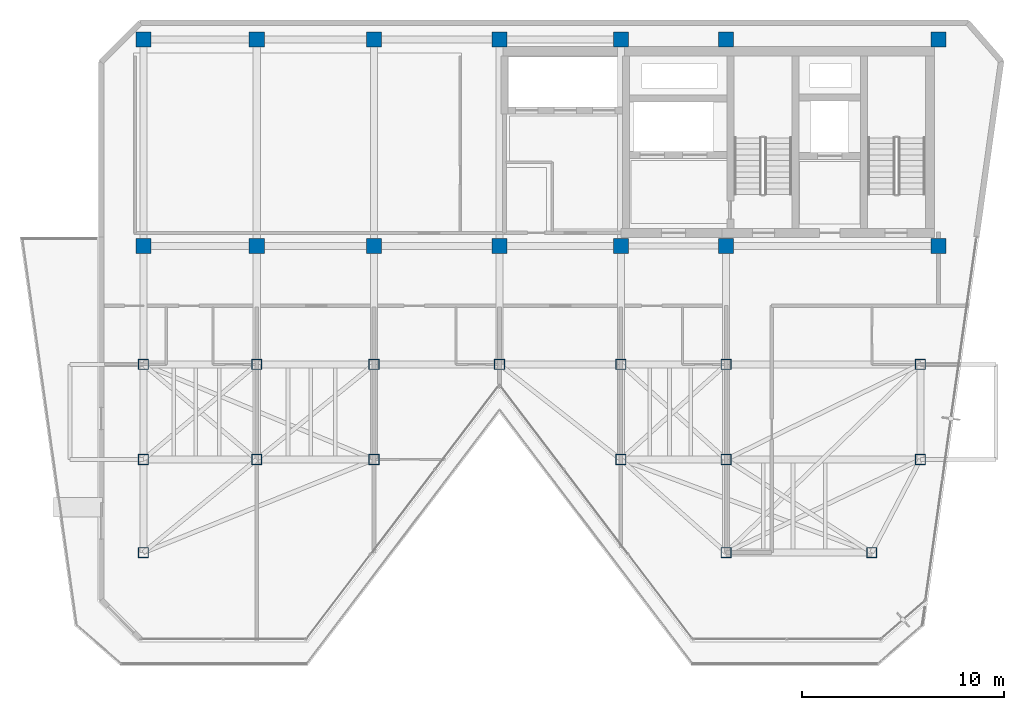
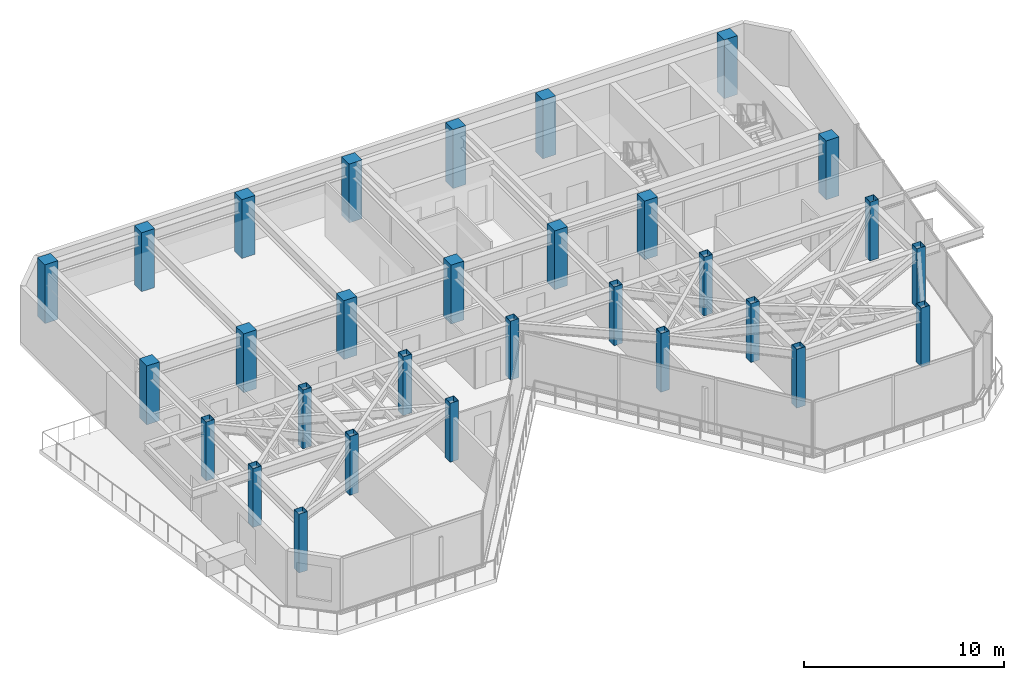
# One storey, part 1 of 20: 30 columns.
"""IFC4 building model written with IfcOpenShell, lengths in metres."""

from ifc_helpers import new_model, si_unit, direction, frame, origin, origin_2d, place, context, subcontext, project, spatial, rectangle, hollow_rectangle, extrude, material, material_profile, profile_set, type_object, element, save


model = new_model("IFC4")

# Units and contexts
model_context = context("Model", 3, precision=1e-05, world=origin(), true_north=direction((0.0, 1.0)))
body_context = subcontext(model_context, "Body", "Model", "MODEL_VIEW")
ifc_project = project(units=[si_unit("LENGTHUNIT", "METRE"), si_unit("AREAUNIT", "SQUARE_METRE"), si_unit("VOLUMEUNIT", "CUBIC_METRE"), si_unit("PLANEANGLEUNIT", "RADIAN"), si_unit("MASSUNIT", "GRAM", prefix="KILO")], contexts=[model_context])

# Site, building, storey
site_placement = place(None, origin())
site = spatial("IfcSite", under=ifc_project, at=site_placement, CompositionType="ELEMENT")
building_placement = place(site_placement, origin())
building = spatial("IfcBuilding", under=site, at=building_placement, Name="Kravanh Interchange Tower", CompositionType="ELEMENT")
storey_placement = place(building_placement, frame((0.0, 0.0, 245.39990234375)))
storey = spatial("IfcBuildingStorey", under=building, at=storey_placement, Name="L59", CompositionType="ELEMENT", Elevation=245.39990234375)

# Columns
ifc_material_1 = material(Name="Structural Steel S355", Category="steel")
ifc_material_profile_1 = material_profile(ifc_material_1, hollow_rectangle(XDim=0.5, YDim=0.5, WallThickness=0.02001953125, at=origin_2d()), Name="HSS500X500X20")
ifc_profile_set_1 = profile_set([ifc_material_profile_1], Name="Structural Steel S355")
column_type_1 = type_object("IfcColumnType", Name="Column HSS500X500X20 Structural Steel S355", PredefinedType="COLUMN", material=ifc_profile_set_1)
for number, where, z_axis, x_axis, name in (
    (1, (44.800048828125, 31.5, 0.0), (0.0, 0.0, 1.0), (1.0, 0.0, 0.0), "L59 Column CH_E1"),
    (2, (50.800048828125, 31.5, 0.0), (0.0, 0.0, 1.0), (1.0, 0.0, 0.0), "L59 Column CH_E2"),
    (3, (56.0, 31.5, 0.0), (0.0, 0.0, 1.0), (1.0, 0.0, 0.0), "L59 Column CH_E3"),
    (4, (65.60009765625, 31.5, 0.0), (0.0, 0.0, 1.0), (1.0, 0.0, 0.0), "L59 Column CH_E4"),
    (5, (38.60009765625, 31.5, 0.0), (0.0, 0.0, 1.0), (1.0, 0.0, 0.0), "L59 Column CH_E5"),
    (6, (32.800048828125, 31.5, 0.0), (0.0, 0.0, 1.0), (1.0, 0.0, 0.0), "L59 Column CH_E6"),
    (7, (27.199951171875, 31.5, 0.0), (0.0, 0.0, 1.0), (1.0, 0.0, 0.0), "L59 Column CH_E7"),
    (8, (38.60009765625, 26.800048828125, 0.0), (0.0, 0.0, 1.0), (1.0, 0.0, 0.0), "L59 Column CH_S1"),
    (9, (50.800048828125, 26.800048828125, 0.0), (0.0, 0.0, 1.0), (1.0, 0.0, 0.0), "L59 Column CH_S2"),
    (10, (56.0, 26.800048828125, 0.0), (0.0, 0.0, 1.0), (1.0, 0.0, 0.0), "L59 Column CH_S3"),
    (11, (65.60009765625, 26.800048828125, 0.0), (0.0, 0.0, 1.0), (1.0, 0.0, 0.0), "L59 Column CH_S4"),
    (12, (56.0, 22.199951171875, 0.0), (0.0, 0.0, 1.0), (1.0, 0.0, 0.0), "L59 Column CH_S5"),
    (13, (63.199951171875, 22.199951171875, 0.0), (0.0, 0.0, 1.0), (1.0, 0.0, 0.0), "L59 Column CH_S6"),
    (14, (27.199951171875, 22.199951171875, 0.0), (0.0, 0.0, 1.0), (1.0, 0.0, 0.0), "L59 Column CH_W1"),
    (15, (27.199951171875, 26.800048828125, 0.0), (0.0, 0.0, 1.0), (1.0, 0.0, 0.0), "L59 Column CH_W1B"),
    (16, (32.800048828125, 26.800048828125, 0.0), (0.0, 0.0, 1.0), (1.0, 0.0, 0.0), "L59 Column CH_W3"),
):
    element("IfcColumn", number, at=place(storey_placement, frame(where, z_axis=z_axis, x_axis=x_axis)), inside=storey, type_object=column_type_1, Name=name, PredefinedType="COLUMN", context=body_context, shape_type="SweptSolid", body=[
        extrude(hollow_rectangle(XDim=0.5, YDim=0.5, WallThickness=0.02001953125, at=origin_2d()), origin(), (0.0, 0.0, 1.0), 3.60009765625),
    ])
ifc_material_2 = material(Name="Concrete C60/75", Category="concrete")
ifc_material_profile_2 = material_profile(ifc_material_2, rectangle(XDim=0.75, YDim=0.75, at=origin_2d()), Name="RC750X750")
ifc_profile_set_2 = profile_set([ifc_material_profile_2], Name="Concrete C60/75")
column_type_2 = type_object("IfcColumnType", Name="Column RC750X750 Concrete C60/75", PredefinedType="COLUMN", material=ifc_profile_set_2)
for number, where, z_axis, x_axis, name in (
    (17, (66.5, 47.550048828125, 0.0), (0.0, 0.0, 1.0), (1.0, 0.0, 0.0), "L59 Column CS01"),
    (18, (56.0, 47.550048828125, 0.0), (0.0, 0.0, 1.0), (1.0, 0.0, 0.0), "L59 Column CS02"),
    (19, (66.5, 37.35009765625, 0.0), (0.0, 0.0, 1.0), (1.0, 0.0, 0.0), "L59 Column CS03"),
    (20, (56.0, 37.35009765625, 0.0), (0.0, 0.0, 1.0), (1.0, 0.0, 0.0), "L59 Column CS04"),
    (21, (50.800048828125, 47.550048828125, 0.0), (0.0, 0.0, 1.0), (1.0, 0.0, 0.0), "L59 Column CS05"),
    (22, (50.800048828125, 37.35009765625, 0.0), (0.0, 0.0, 1.0), (1.0, 0.0, 0.0), "L59 Column CS06"),
    (23, (44.800048828125, 37.35009765625, 0.0), (0.0, 0.0, 1.0), (1.0, 0.0, 0.0), "L59 Column CS07"),
    (24, (44.800048828125, 47.550048828125, 0.0), (0.0, 0.0, 1.0), (1.0, 0.0, 0.0), "L59 Column CS08"),
    (25, (38.60009765625, 37.35009765625, 0.0), (0.0, 0.0, 1.0), (1.0, 0.0, 0.0), "L59 Column CS09"),
    (26, (38.60009765625, 47.550048828125, 0.0), (0.0, 0.0, 1.0), (1.0, 0.0, 0.0), "L59 Column CS10"),
    (27, (32.800048828125, 37.35009765625, 0.0), (0.0, 0.0, 1.0), (1.0, 0.0, 0.0), "L59 Column CS11"),
    (28, (32.800048828125, 47.550048828125, 0.0), (0.0, 0.0, 1.0), (1.0, 0.0, 0.0), "L59 Column CS12"),
    (29, (27.199951171875, 37.35009765625, 0.0), (0.0, 0.0, 1.0), (1.0, 0.0, 0.0), "L59 Column CS13"),
    (30, (27.199951171875, 47.550048828125, 0.0), (0.0, 0.0, 1.0), (1.0, 0.0, 0.0), "L59 Column CS14"),
):
    element("IfcColumn", number, at=place(storey_placement, frame(where, z_axis=z_axis, x_axis=x_axis)), inside=storey, type_object=column_type_2, Name=name, PredefinedType="COLUMN", context=body_context, shape_type="SweptSolid", body=[
        extrude(rectangle(XDim=0.75, YDim=0.75, at=origin_2d()), origin(), (0.0, 0.0, 1.0), 3.60009765625),
    ])

save(model, "model.ifc")
